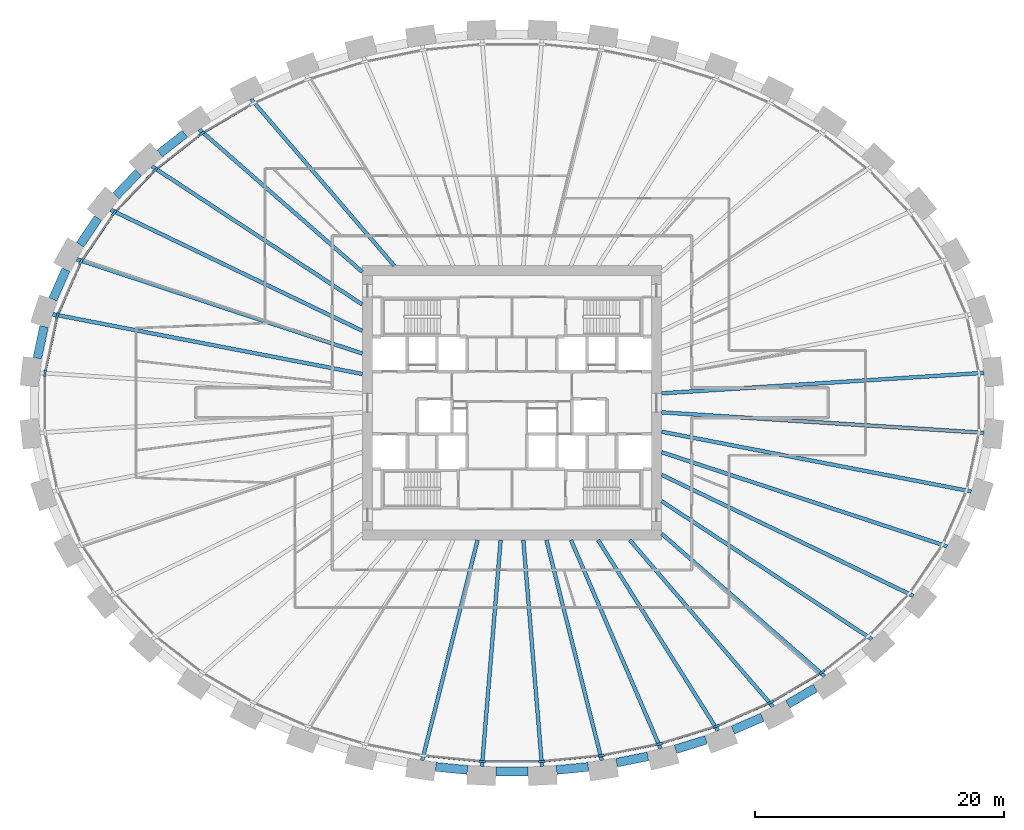
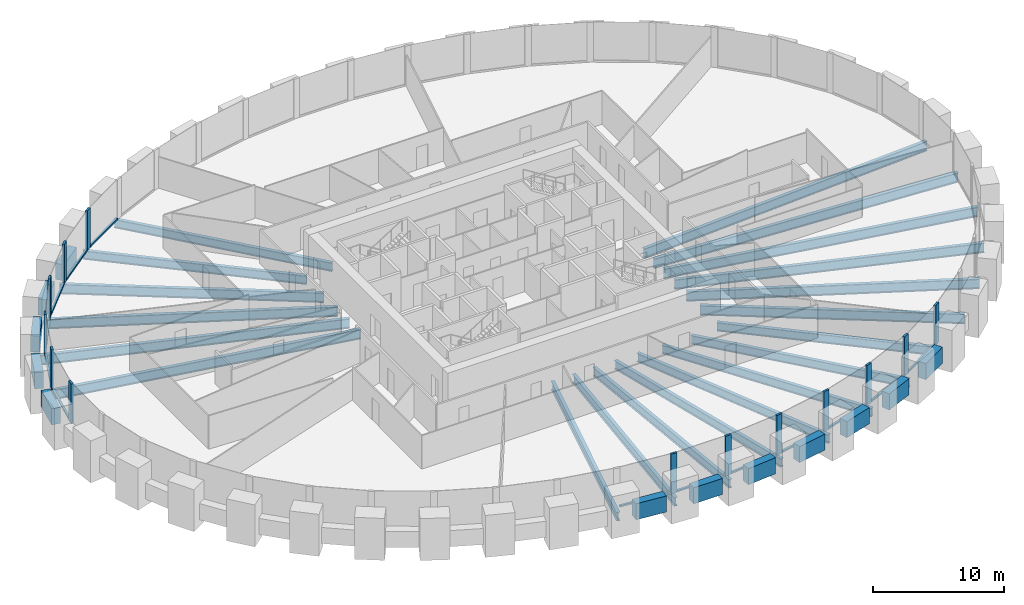
# One storey, part 2 of 11: 32 beams, 26 members, 1 element without a shape of its own.
"""IFC4 building model written with IfcOpenShell, lengths in metres."""

from ifc_helpers import new_model, si_unit, direction, frame, origin, origin_2d, place, context, subcontext, project, spatial, rectangle, i_section, extrude, source, transform, mapped, material, material_profile, profile_set, type_object, element, aggregate, save


model = new_model("IFC4")

# Units and contexts
model_context = context("Model", 3, precision=1e-05, world=origin(), true_north=direction((0.0, 1.0)))
body_context = subcontext(model_context, "Body", "Model", "MODEL_VIEW")
ifc_project = project(units=[si_unit("LENGTHUNIT", "METRE"), si_unit("AREAUNIT", "SQUARE_METRE"), si_unit("VOLUMEUNIT", "CUBIC_METRE"), si_unit("PLANEANGLEUNIT", "RADIAN"), si_unit("MASSUNIT", "GRAM", prefix="KILO")], contexts=[model_context])

# Site, building, storey
site_placement = place(None, origin())
site = spatial("IfcSite", under=ifc_project, at=site_placement, CompositionType="ELEMENT")
building_placement = place(site_placement, origin())
building = spatial("IfcBuilding", under=site, at=building_placement, Name="Embergate Tower", CompositionType="ELEMENT")
storey_placement = place(building_placement, frame((0.0, 0.0, 139.800048828125)))
storey = spatial("IfcBuildingStorey", under=building, at=storey_placement, Name="L30", CompositionType="ELEMENT", Elevation=139.800048828125)

# Beams
ifc_material_1 = material(Name="Concrete C70", Category="concrete")
ifc_material_profile_1 = material_profile(ifc_material_1, rectangle(XDim=0.699951171875, YDim=1.5, at=origin_2d()), Name="RC 700x1500")
ifc_profile_set_1 = profile_set([ifc_material_profile_1], Name="Concrete C70")
beam_type_1 = type_object("IfcBeamType", Name="Spandrel beam RC 700x1500 C70", PredefinedType="BEAM", material=ifc_profile_set_1)
shared_shape_1 = source(origin(), body_context, "Body", "SweptSolid", [
    extrude(rectangle(XDim=0.699951171875, YDim=1.5, at=origin_2d()), origin(), (0.0, 0.0, 1.0), 2.59423828125),
])
beam_1_placement = place(storey_placement, frame((-37.514892578125, 6.1201171875, 0.0), z_axis=(-0.210518717987, -0.977589826756, 0.0), x_axis=(0.977589826756, -0.210518717987, 0.0)))
element("IfcBeam", 1, at=beam_1_placement, inside=storey, type_object=beam_type_1, Name="SPN-L30-20", PredefinedType="BEAM", context=body_context, shape_type="MappedRepresentation", body=[
    mapped(shared_shape_1, transform((0.0, 0.0, 0.0))),
])
shared_shape_2 = source(origin(), body_context, "Body", "SweptSolid", [
    extrude(rectangle(XDim=0.699951171875, YDim=1.5, at=origin_2d()), origin(), (0.0, 0.0, 1.0), 2.5888671875),
])
beam_2_placement = place(storey_placement, frame((-35.76806640625, 10.678955078125, 0.0), z_axis=(-0.401723931702, -0.915760821775, 0.0), x_axis=(0.915760821775, -0.401723931702, 0.0)))
element("IfcBeam", 2, at=beam_2_placement, inside=storey, type_object=beam_type_1, Name="SPN-L30-19", PredefinedType="BEAM", context=body_context, shape_type="MappedRepresentation", body=[
    mapped(shared_shape_2, transform((0.0, 0.0, 0.0))),
])
shared_shape_3 = source(origin(), body_context, "Body", "SweptSolid", [
    extrude(rectangle(XDim=0.699951171875, YDim=1.5, at=origin_2d()), origin(), (0.0, 0.0, 1.0), 2.5791015625),
])
beam_3_placement = place(storey_placement, frame((-33.18701171875, 14.81396484375, 0.0), z_axis=(-0.562170202136, -0.82702156189, 0.0), x_axis=(0.82702156189, -0.562170202136, 0.0)))
element("IfcBeam", 3, at=beam_3_placement, inside=storey, type_object=beam_type_1, Name="SPN-L30-18", PredefinedType="BEAM", context=body_context, shape_type="MappedRepresentation", body=[
    mapped(shared_shape_3, transform((0.0, 0.0, 0.0))),
])
shared_shape_4 = source(origin(), body_context, "Body", "SweptSolid", [
    extrude(rectangle(XDim=0.699951171875, YDim=1.5, at=origin_2d()), origin(), (0.0, 0.0, 1.0), 2.574462890625),
])
beam_4_placement = place(storey_placement, frame((-29.964111328125, 18.466064453125, 0.0), z_axis=(-0.690171205001, -0.72364612055, 0.0), x_axis=(0.72364612055, -0.690171205001, 0.0)))
element("IfcBeam", 4, at=beam_4_placement, inside=storey, type_object=beam_type_1, Name="SPN-L30-17", PredefinedType="BEAM", context=body_context, shape_type="MappedRepresentation", body=[
    mapped(shared_shape_4, transform((0.0, 0.0, 0.0))),
])
shared_shape_5 = source(origin(), body_context, "Body", "SweptSolid", [
    extrude(rectangle(XDim=0.699951171875, YDim=1.5, at=origin_2d()), origin(), (0.0, 0.0, 1.0), 2.56689453125),
])
beam_5_placement = place(storey_placement, frame((-26.222900390625, 21.574951171875, 0.0), z_axis=(-0.788172869351, -0.615453920305, 0.0), x_axis=(0.615453920305, -0.788172869351, 0.0)))
element("IfcBeam", 5, at=beam_5_placement, inside=storey, type_object=beam_type_1, Name="SPN-L30-16", PredefinedType="BEAM", context=body_context, shape_type="MappedRepresentation", body=[
    mapped(shared_shape_5, transform((0.0, 0.0, 0.0))),
])
shared_shape_6 = source(origin(), body_context, "Body", "SweptSolid", [
    extrude(rectangle(XDim=0.699951171875, YDim=1.5, at=origin_2d()), origin(), (0.0, 0.0, 1.0), 2.561279296875),
])
beam_6_placement = place(storey_placement, frame((22.113037109375, -24.166015625, 0.0), z_axis=(0.862059156479, 0.506807666409, 0.0), x_axis=(-0.506807666409, 0.862059156479, 0.0)))
element("IfcBeam", 6, at=beam_6_placement, inside=storey, type_object=beam_type_1, Name="SPN-L30-37", PredefinedType="BEAM", context=body_context, shape_type="MappedRepresentation", body=[
    mapped(shared_shape_6, transform((0.0, 0.0, 0.0))),
])
shared_shape_7 = source(origin(), body_context, "Body", "SweptSolid", [
    extrude(rectangle(XDim=0.699951171875, YDim=1.5, at=origin_2d()), origin(), (0.0, 0.0, 1.0), 2.558837890625),
])
beam_7_placement = place(storey_placement, frame((17.718994140625, -26.236083984375, 0.0), z_axis=(0.916408972809, 0.40024316928, 0.0), x_axis=(-0.40024316928, 0.916408972809, 0.0)))
element("IfcBeam", 7, at=beam_7_placement, inside=storey, type_object=beam_type_1, Name="SPN-L30-36", PredefinedType="BEAM", context=body_context, shape_type="MappedRepresentation", body=[
    mapped(shared_shape_7, transform((0.0, 0.0, 0.0))),
])
shared_shape_8 = source(origin(), body_context, "Body", "SweptSolid", [
    extrude(rectangle(XDim=0.699951171875, YDim=1.5, at=origin_2d()), origin(), (0.0, 0.0, 1.0), 2.5537109375),
])
beam_8_placement = place(storey_placement, frame((13.118896484375, -27.781005859375, 0.0), z_axis=(0.954687282826, 0.297610806273, 0.0), x_axis=(-0.297610806273, 0.954687282826, 0.0)))
element("IfcBeam", 8, at=beam_8_placement, inside=storey, type_object=beam_type_1, Name="SPN-L30-35", PredefinedType="BEAM", context=body_context, shape_type="MappedRepresentation", body=[
    mapped(shared_shape_8, transform((0.0, 0.0, 0.0))),
])
shared_shape_9 = source(origin(), body_context, "Body", "SweptSolid", [
    extrude(rectangle(XDim=0.699951171875, YDim=1.5, at=origin_2d()), origin(), (0.0, 0.0, 1.0), 2.552734375),
])
beam_9_placement = place(storey_placement, frame((8.386962890625, -28.85205078125, 0.0), z_axis=(0.980477546037, 0.196631080243, 0.0), x_axis=(-0.196631080243, 0.980477546037, 0.0)))
element("IfcBeam", 9, at=beam_9_placement, inside=storey, type_object=beam_type_1, Name="SPN-L30-34", PredefinedType="BEAM", context=body_context, shape_type="MappedRepresentation", body=[
    mapped(shared_shape_9, transform((0.0, 0.0, 0.0))),
])
shared_shape_10 = source(origin(), body_context, "Body", "SweptSolid", [
    extrude(rectangle(XDim=0.699951171875, YDim=1.5, at=origin_2d()), origin(), (0.0, 0.0, 1.0), 2.55126953125),
])
for number, where, z_axis, x_axis, name in (
    (10, (-6.112060546875, -29.19091796875, 0.0), (0.995224880302, -0.09760859403, 0.0), (0.09760859403, 0.995224880302, 0.0), "SPN-L30-31"),
    (11, (3.572998046875, -29.43994140625, 0.0), (0.995224880302, 0.09760859403, 0.0), (-0.09760859403, 0.995224880302, 0.0), "SPN-L30-33"),
):
    element("IfcBeam", number, at=place(storey_placement, frame(where, z_axis=z_axis, x_axis=x_axis)), inside=storey, type_object=beam_type_1, Name=name, PredefinedType="BEAM", context=body_context, shape_type="MappedRepresentation", body=[
        mapped(shared_shape_10, transform((0.0, 0.0, 0.0))),
    ])
shared_shape_11 = source(origin(), body_context, "Body", "SweptSolid", [
    extrude(rectangle(XDim=0.699951171875, YDim=1.5, at=origin_2d()), origin(), (0.0, 0.0, 1.0), 2.5517578125),
])
beam_10_placement = place(storey_placement, frame((-1.27587890625, -29.552978515625, 0.0), z_axis=(1.0, 0.0, 0.0), x_axis=(0.0, 1.0, 0.0)))
element("IfcBeam", 12, at=beam_10_placement, inside=storey, type_object=beam_type_1, Name="SPN-L30-32", PredefinedType="BEAM", context=body_context, shape_type="MappedRepresentation", body=[
    mapped(shared_shape_11, transform((0.0, 0.0, 0.0))),
])
ifc_material_2 = material(Name="Steel Q355B", Category="steel")
ifc_material_profile_2 = material_profile(ifc_material_2, i_section(OverallWidth=0.300048828125, OverallDepth=0.89990234375, WebThickness=0.01611328125, FlangeThickness=0.028076171875, FilletRadius=0.028076171875, at=origin_2d()), Name="HN 900x300x16x28")
ifc_profile_set_2 = profile_set([ifc_material_profile_2], Name="Steel Q355 grade B")
beam_type_2 = type_object("IfcBeamType", Name="Radial girder HN 900x300x16x28", PredefinedType="BEAM", material=ifc_profile_set_2)
shared_shape_12 = source(origin(), body_context, "Body", "SweptSolid", [
    extrude(i_section(OverallWidth=0.300048828125, OverallDepth=0.89990234375, WebThickness=0.01611328125, FlangeThickness=0.028076171875, FilletRadius=0.028076171875, at=origin_2d()), origin(), (0.0, 0.0, 1.0), 25.885986328125),
])
for number, where, z_axis, x_axis, name in (
    (13, (37.833984375, 2.403076171875, -0.650146484375), (-0.997988350438, -0.063397574012, 0.0), (0.063397574012, -0.997988350438, 0.0), "GIR-L30-00"),
    (14, (37.833984375, -2.403076171875, -0.650146484375), (-0.997988350438, 0.063397574012, 0.0), (-0.063397574012, -0.997988350438, 0.0), "GIR-L30-43"),
):
    element("IfcBeam", number, at=place(storey_placement, frame(where, z_axis=z_axis, x_axis=x_axis)), inside=storey, type_object=beam_type_2, Name=name, PredefinedType="BEAM", context=body_context, shape_type="MappedRepresentation", body=[
        mapped(shared_shape_12, transform((0.0, 0.0, 0.0))),
    ])
shared_shape_13 = source(origin(), body_context, "Body", "SweptSolid", [
    extrude(i_section(OverallWidth=0.300048828125, OverallDepth=0.89990234375, WebThickness=0.01611328125, FlangeThickness=0.028076171875, FilletRadius=0.028076171875, at=origin_2d()), origin(), (0.0, 0.0, 1.0), 25.28076171875),
])
for number, where, z_axis, x_axis, name in (
    (15, (-36.822998046875, 7.10400390625, -0.650146484375), (0.981893236668, -0.189435138731, 0.0), (0.189435138731, 0.981893236668, 0.0), "GIR-L30-20"),
    (16, (36.822998046875, -7.10400390625, -0.650146484375), (-0.981893236668, 0.189435138731, 0.0), (-0.189435138731, -0.981893236668, 0.0), "GIR-L30-42"),
):
    element("IfcBeam", number, at=place(storey_placement, frame(where, z_axis=z_axis, x_axis=x_axis)), inside=storey, type_object=beam_type_2, Name=name, PredefinedType="BEAM", context=body_context, shape_type="MappedRepresentation", body=[
        mapped(shared_shape_13, transform((0.0, 0.0, 0.0))),
    ])
shared_shape_14 = source(origin(), body_context, "Body", "SweptSolid", [
    extrude(i_section(OverallWidth=0.300048828125, OverallDepth=0.89990234375, WebThickness=0.01611328125, FlangeThickness=0.028076171875, FilletRadius=0.028076171875, at=origin_2d()), origin(), (0.0, 0.0, 1.0), 24.10498046875),
])
for number, where, z_axis, x_axis, name in (
    (17, (-34.89208984375, 11.507080078125, -0.650146484375), (0.949682225523, -0.313215054756, 0.0), (0.313215054756, 0.949682225523, 0.0), "GIR-L30-19"),
    (18, (34.89208984375, -11.507080078125, -0.650146484375), (-0.949682225523, 0.313215054756, 0.0), (-0.313215054756, -0.949682225523, 0.0), "GIR-L30-41"),
):
    element("IfcBeam", number, at=place(storey_placement, frame(where, z_axis=z_axis, x_axis=x_axis)), inside=storey, type_object=beam_type_2, Name=name, PredefinedType="BEAM", context=body_context, shape_type="MappedRepresentation", body=[
        mapped(shared_shape_14, transform((0.0, 0.0, 0.0))),
    ])
shared_shape_15 = source(origin(), body_context, "Body", "SweptSolid", [
    extrude(i_section(OverallWidth=0.300048828125, OverallDepth=0.89990234375, WebThickness=0.01611328125, FlangeThickness=0.028076171875, FilletRadius=0.028076171875, at=origin_2d()), origin(), (0.0, 0.0, 1.0), 22.4013671875),
])
for number, where, z_axis, x_axis, name in (
    (19, (-32.18701171875, 15.48388671875, -0.650146484375), (0.901154023355, -0.433499049815, 0.0), (0.433499049815, 0.901154023355, 0.0), "GIR-L30-18"),
    (20, (32.18701171875, -15.48388671875, -0.650146484375), (-0.901154023355, 0.433499049815, 0.0), (-0.433499049815, -0.901154023355, 0.0), "GIR-L30-40"),
):
    element("IfcBeam", number, at=place(storey_placement, frame(where, z_axis=z_axis, x_axis=x_axis)), inside=storey, type_object=beam_type_2, Name=name, PredefinedType="BEAM", context=body_context, shape_type="MappedRepresentation", body=[
        mapped(shared_shape_15, transform((0.0, 0.0, 0.0))),
    ])
shared_shape_16 = source(origin(), body_context, "Body", "SweptSolid", [
    extrude(i_section(OverallWidth=0.300048828125, OverallDepth=0.89990234375, WebThickness=0.01611328125, FlangeThickness=0.028076171875, FilletRadius=0.028076171875, at=origin_2d()), origin(), (0.0, 0.0, 1.0), 20.180908203125),
])
for number, where, z_axis, x_axis, name in (
    (21, (-28.865966796875, 18.966064453125, -0.650146484375), (0.835735460255, -0.549132261365, 0.0), (0.549132261365, 0.835735460255, 0.0), "GIR-L30-17"),
    (22, (28.865966796875, -18.966064453125, -0.650146484375), (-0.835735460255, 0.549132261365, 0.0), (-0.549132261365, -0.835735460255, 0.0), "GIR-L30-39"),
):
    element("IfcBeam", number, at=place(storey_placement, frame(where, z_axis=z_axis, x_axis=x_axis)), inside=storey, type_object=beam_type_2, Name=name, PredefinedType="BEAM", context=body_context, shape_type="MappedRepresentation", body=[
        mapped(shared_shape_16, transform((0.0, 0.0, 0.0))),
    ])
ifc_material_profile_3 = material_profile(ifc_material_2, i_section(OverallWidth=0.300048828125, OverallDepth=0.800048828125, WebThickness=0.013916015625, FlangeThickness=0.02587890625, FilletRadius=0.028076171875, at=origin_2d()), Name="HN 800x300x14x26")
ifc_profile_set_3 = profile_set([ifc_material_profile_3], Name="Steel Q355 grade B")
beam_type_3 = type_object("IfcBeamType", Name="Radial girder HN 800x300x14x26", PredefinedType="BEAM", material=ifc_profile_set_3)
shared_shape_17 = source(origin(), body_context, "Body", "SweptSolid", [
    extrude(i_section(OverallWidth=0.300048828125, OverallDepth=0.800048828125, WebThickness=0.013916015625, FlangeThickness=0.02587890625, FilletRadius=0.028076171875, at=origin_2d()), origin(), (0.0, 0.0, 1.0), 17.3671875),
])
for number, where, z_axis, x_axis, name in (
    (23, (-25.072998046875, 21.927001953125, -0.60009765625), (0.752741256854, -0.658316489411, 0.0), (0.658316489411, 0.752741256854, 0.0), "GIR-L30-16"),
    (24, (25.072998046875, -21.927001953125, -0.60009765625), (-0.752741256854, 0.658316489411, 0.0), (-0.658316489411, -0.752741256854, 0.0), "GIR-L30-38"),
):
    element("IfcBeam", number, at=place(storey_placement, frame(where, z_axis=z_axis, x_axis=x_axis)), inside=storey, type_object=beam_type_3, Name=name, PredefinedType="BEAM", context=body_context, shape_type="MappedRepresentation", body=[
        mapped(shared_shape_17, transform((0.0, 0.0, 0.0))),
    ])
shared_shape_18 = source(origin(), body_context, "Body", "SweptSolid", [
    extrude(i_section(OverallWidth=0.300048828125, OverallDepth=0.800048828125, WebThickness=0.013916015625, FlangeThickness=0.02587890625, FilletRadius=0.028076171875, at=origin_2d()), origin(), (0.0, 0.0, 1.0), 17.617919921875),
])
for number, where, z_axis, x_axis, name in (
    (25, (-20.924072265625, 24.365966796875, -0.60009765625), (0.651494074711, -0.75865372247, 0.0), (0.75865372247, 0.651494074711, 0.0), "GIR-L30-15"),
    (26, (20.924072265625, -24.365966796875, -0.60009765625), (-0.651494074711, 0.75865372247, 0.0), (-0.75865372247, -0.651494074711, 0.0), "GIR-L30-37"),
):
    element("IfcBeam", number, at=place(storey_placement, frame(where, z_axis=z_axis, x_axis=x_axis)), inside=storey, type_object=beam_type_3, Name=name, PredefinedType="BEAM", context=body_context, shape_type="MappedRepresentation", body=[
        mapped(shared_shape_18, transform((0.0, 0.0, 0.0))),
    ])
shared_shape_19 = source(origin(), body_context, "Body", "SweptSolid", [
    extrude(i_section(OverallWidth=0.300048828125, OverallDepth=0.800048828125, WebThickness=0.013916015625, FlangeThickness=0.02587890625, FilletRadius=0.028076171875, at=origin_2d()), origin(), (0.0, 0.0, 1.0), 18.060546875),
])
beam_11_placement = place(storey_placement, frame((16.513916015625, -26.2939453125, -0.60009765625), z_axis=(-0.531878610528, 0.846820608903, 0.0), x_axis=(-0.846820608903, -0.531878610528, 0.0)))
element("IfcBeam", 27, at=beam_11_placement, inside=storey, type_object=beam_type_3, Name="GIR-L30-36", PredefinedType="BEAM", context=body_context, shape_type="MappedRepresentation", body=[
    mapped(shared_shape_19, transform((0.0, 0.0, 0.0))),
])
shared_shape_20 = source(origin(), body_context, "Body", "SweptSolid", [
    extrude(i_section(OverallWidth=0.300048828125, OverallDepth=0.800048828125, WebThickness=0.013916015625, FlangeThickness=0.02587890625, FilletRadius=0.028076171875, at=origin_2d()), origin(), (0.0, 0.0, 1.0), 18.2060546875),
])
beam_12_placement = place(storey_placement, frame((11.91796875, -27.72607421875, -0.60009765625), z_axis=(-0.394922496681, 0.918714439647, 0.0), x_axis=(-0.918714439647, -0.394922496681, 0.0)))
element("IfcBeam", 28, at=beam_12_placement, inside=storey, type_object=beam_type_3, Name="GIR-L30-35", PredefinedType="BEAM", context=body_context, shape_type="MappedRepresentation", body=[
    mapped(shared_shape_20, transform((0.0, 0.0, 0.0))),
])
shared_shape_21 = source(origin(), body_context, "Body", "SweptSolid", [
    extrude(i_section(OverallWidth=0.300048828125, OverallDepth=0.800048828125, WebThickness=0.013916015625, FlangeThickness=0.02587890625, FilletRadius=0.028076171875, at=origin_2d()), origin(), (0.0, 0.0, 1.0), 18.220703125),
])
for number, where, z_axis, x_axis, name in (
    (29, (-7.197998046875, -28.672119140625, -0.60009765625), (0.243516003071, 0.969896879183, 0.0), (-0.969896879183, 0.243516003071, 0.0), "GIR-L30-31"),
    (30, (7.197998046875, -28.672119140625, -0.60009765625), (-0.243516003071, 0.969896879183, 0.0), (-0.969896879183, -0.243516003071, 0.0), "GIR-L30-34"),
):
    element("IfcBeam", number, at=place(storey_placement, frame(where, z_axis=z_axis, x_axis=x_axis)), inside=storey, type_object=beam_type_3, Name=name, PredefinedType="BEAM", context=body_context, shape_type="MappedRepresentation", body=[
        mapped(shared_shape_21, transform((0.0, 0.0, 0.0))),
    ])
shared_shape_22 = source(origin(), body_context, "Body", "SweptSolid", [
    extrude(i_section(OverallWidth=0.300048828125, OverallDepth=0.800048828125, WebThickness=0.013916015625, FlangeThickness=0.02587890625, FilletRadius=0.028076171875, at=origin_2d()), origin(), (0.0, 0.0, 1.0), 18.204833984375),
])
for number, where, z_axis, x_axis, name in (
    (31, (-2.406982421875, -29.14306640625, -0.60009765625), (0.082288533097, 0.996608547686, 0.0), (-0.996608547686, 0.082288533097, 0.0), "GIR-L30-32"),
    (32, (2.406982421875, -29.14306640625, -0.60009765625), (-0.082288533097, 0.996608547686, 0.0), (-0.996608547686, -0.082288533097, 0.0), "GIR-L30-33"),
):
    element("IfcBeam", number, at=place(storey_placement, frame(where, z_axis=z_axis, x_axis=x_axis)), inside=storey, type_object=beam_type_3, Name=name, PredefinedType="BEAM", context=body_context, shape_type="MappedRepresentation", body=[
        mapped(shared_shape_22, transform((0.0, 0.0, 0.0))),
    ])

# Curtain wall, members
ifc_material_3 = material(Name="Aluminium and glass", Category="aluminium")
curtain_wall_type = type_object("IfcCurtainWallType", Name="Recessed office glazing", PredefinedType="NOTDEFINED", material=ifc_material_3)
curtain_wall_placement = place(storey_placement, origin())
curtain_wall = element("IfcCurtainWall", 33, at=curtain_wall_placement, inside=storey, type_object=curtain_wall_type, Name="Recessed office glazing ring", ObjectType="RECESSED OFFICE GLAZING", PredefinedType="USERDEFINED")
ifc_material_4 = material(Name="Aluminium, thermally broken", Category="aluminium")
ifc_material_profile_4 = material_profile(ifc_material_4, rectangle(XDim=0.179931640625, YDim=0.52001953125, at=origin_2d()), Name="AL 520x180")
ifc_profile_set_4 = profile_set([ifc_material_profile_4], Name="Aluminium, thermally broken")
member_type_1 = type_object("IfcMemberType", Name="Office mullion", PredefinedType="MULLION", material=ifc_profile_set_4)
shared_shape_23 = source(origin(), body_context, "Body", "SweptSolid", [
    extrude(rectangle(XDim=0.179931640625, YDim=0.52001953125, at=origin_2d()), origin(), (0.0, 0.0, 1.0), 3.699951171875),
])
member_1_placement = place(storey_placement, frame((-24.8544921875, 21.603515625, 0.0), z_axis=(0.0, 0.0, 1.0), x_axis=(0.562214731803, -0.826991290972, 0.0)))
member_1 = element("IfcMember", 34, at=member_1_placement, type_object=member_type_1, Name="CW mullion 17", PredefinedType="MULLION", context=body_context, shape_type="MappedRepresentation", body=[
    mapped(shared_shape_23, transform((0.0, 0.0, 0.0))),
])
member_2_placement = place(storey_placement, frame((-28.605712890625, 18.676025390625, 0.0), z_axis=(0.0, 0.0, 1.0), x_axis=(0.671225240226, -0.741253449829, 0.0)))
member_2 = element("IfcMember", 35, at=member_2_placement, type_object=member_type_1, Name="CW mullion 18", PredefinedType="MULLION", context=body_context, shape_type="MappedRepresentation", body=[
    mapped(shared_shape_23, transform((0.0, 0.0, 0.0))),
])
member_3_placement = place(storey_placement, frame((-31.88427734375, 15.238037109375, 0.0), z_axis=(0.0, 0.0, 1.0), x_axis=(0.777871467551, -0.628423408198, 0.0)))
member_3 = element("IfcMember", 36, at=member_3_placement, type_object=member_type_1, Name="CW mullion 19", PredefinedType="MULLION", context=body_context, shape_type="MappedRepresentation", body=[
    mapped(shared_shape_23, transform((0.0, 0.0, 0.0))),
])
member_4_placement = place(storey_placement, frame((-34.55078125, 11.31689453125, 0.0), z_axis=(0.0, 0.0, 1.0), x_axis=(0.875001895832, -0.484119491748, 0.0)))
member_4 = element("IfcMember", 37, at=member_4_placement, type_object=member_type_1, Name="CW mullion 20", PredefinedType="MULLION", context=body_context, shape_type="MappedRepresentation", body=[
    mapped(shared_shape_23, transform((0.0, 0.0, 0.0))),
])
member_5_placement = place(storey_placement, frame((-36.451904296875, 6.982177734375, 0.0), z_axis=(0.0, 0.0, 1.0), x_axis=(0.951497797992, -0.307655554826, 0.0)))
member_5 = element("IfcMember", 38, at=member_5_placement, type_object=member_type_1, Name="CW mullion 21", PredefinedType="MULLION", context=body_context, shape_type="MappedRepresentation", body=[
    mapped(shared_shape_23, transform((0.0, 0.0, 0.0))),
])
member_6_placement = place(storey_placement, frame((-37.4462890625, 2.36181640625, 0.0), z_axis=(0.0, 0.0, 1.0), x_axis=(0.994384954736, -0.105823257345, 0.0)))
member_6 = element("IfcMember", 39, at=member_6_placement, type_object=member_type_1, Name="CW mullion 22", PredefinedType="MULLION", context=body_context, shape_type="MappedRepresentation", body=[
    mapped(shared_shape_23, transform((0.0, 0.0, 0.0))),
])
member_7_placement = place(storey_placement, frame((-2.387939453125, -28.753662109375, 0.0), z_axis=(0.0, 0.0, 1.0), x_axis=(0.048971796621, 0.998800161762, 0.0)))
member_7 = element("IfcMember", 40, at=member_7_placement, type_object=member_type_1, Name="CW mullion 33", PredefinedType="MULLION", context=body_context, shape_type="MappedRepresentation", body=[
    mapped(shared_shape_23, transform((0.0, 0.0, 0.0))),
])
member_8_placement = place(storey_placement, frame((2.387939453125, -28.753662109375, 0.0), z_axis=(0.0, 0.0, 1.0), x_axis=(-0.048971796621, 0.998800161762, 0.0)))
member_8 = element("IfcMember", 41, at=member_8_placement, type_object=member_type_1, Name="CW mullion 34", PredefinedType="MULLION", context=body_context, shape_type="MappedRepresentation", body=[
    mapped(shared_shape_23, transform((0.0, 0.0, 0.0))),
])
member_9_placement = place(storey_placement, frame((7.140625, -28.28662109375, 0.0), z_axis=(0.0, 0.0, 1.0), x_axis=(-0.147410656556, 0.989075375456, 0.0)))
member_9 = element("IfcMember", 42, at=member_9_placement, type_object=member_type_1, Name="CW mullion 35", PredefinedType="MULLION", context=body_context, shape_type="MappedRepresentation", body=[
    mapped(shared_shape_23, transform((0.0, 0.0, 0.0))),
])
member_10_placement = place(storey_placement, frame((11.82177734375, -27.34765625, 0.0), z_axis=(0.0, 0.0, 1.0), x_axis=(-0.247310190257, 0.968936360034, 0.0)))
member_10 = element("IfcMember", 43, at=member_10_placement, type_object=member_type_1, Name="CW mullion 36", PredefinedType="MULLION", context=body_context, shape_type="MappedRepresentation", body=[
    mapped(shared_shape_23, transform((0.0, 0.0, 0.0))),
])
member_11_placement = place(storey_placement, frame((16.378173828125, -25.9287109375, 0.0), z_axis=(0.0, 0.0, 1.0), x_axis=(-0.349501047589, 0.936935973124, 0.0)))
member_11 = element("IfcMember", 44, at=member_11_placement, type_object=member_type_1, Name="CW mullion 37", PredefinedType="MULLION", context=body_context, shape_type="MappedRepresentation", body=[
    mapped(shared_shape_23, transform((0.0, 0.0, 0.0))),
])
member_12_placement = place(storey_placement, frame((20.74755859375, -24.018310546875, 0.0), z_axis=(0.0, 0.0, 1.0), x_axis=(-0.454508271251, 0.890742516872, 0.0)))
member_12 = element("IfcMember", 45, at=member_12_placement, type_object=member_type_1, Name="CW mullion 38", PredefinedType="MULLION", context=body_context, shape_type="MappedRepresentation", body=[
    mapped(shared_shape_23, transform((0.0, 0.0, 0.0))),
])
member_13_placement = place(storey_placement, frame((24.8544921875, -21.603515625, 0.0), z_axis=(0.0, 0.0, 1.0), x_axis=(-0.562214731803, 0.826991290972, 0.0)))
member_13 = element("IfcMember", 46, at=member_13_placement, type_object=member_type_1, Name="CW mullion 39", PredefinedType="MULLION", context=body_context, shape_type="MappedRepresentation", body=[
    mapped(shared_shape_23, transform((0.0, 0.0, 0.0))),
])
ifc_material_profile_5 = material_profile(ifc_material_4, rectangle(XDim=0.179931640625, YDim=0.14990234375, at=origin_2d()), Name="AL 150x180")
ifc_profile_set_5 = profile_set([ifc_material_profile_5], Name="Aluminium, thermally broken")
member_type_2 = type_object("IfcMemberType", Name="Office sill transom", PredefinedType="USERDEFINED", material=ifc_profile_set_5)
shared_shape_24 = source(origin(), body_context, "Body", "SweptSolid", [
    extrude(rectangle(XDim=0.179931640625, YDim=0.14990234375, at=origin_2d()), origin(), (0.0, 0.0, 1.0), 4.25439453125),
])
member_14_placement = place(storey_placement, frame((7.3955078125, -28.2353515625, 0.074951171875), z_axis=(0.980472378795, 0.196656844325, 0.0), x_axis=(-0.196656844325, 0.980472378795, 0.0)))
member_14 = element("IfcMember", 47, at=member_14_placement, type_object=member_type_2, Name="CW transom 35.1", ObjectType="TRANSOM", PredefinedType="USERDEFINED", context=body_context, shape_type="MappedRepresentation", body=[
    mapped(shared_shape_24, transform((0.0, 0.0, 0.0))),
])
shared_shape_25 = source(origin(), body_context, "Body", "SweptSolid", [
    extrude(rectangle(XDim=0.179931640625, YDim=0.14990234375, at=origin_2d()), origin(), (0.0, 0.0, 1.0), 4.206298828125),
])
member_15_placement = place(storey_placement, frame((-36.506591796875, 6.72802734375, 0.074951171875), z_axis=(-0.210405025701, -0.977614302862, 0.0), x_axis=(0.977614302862, -0.210405025701, 0.0)))
member_15 = element("IfcMember", 48, at=member_15_placement, type_object=member_type_2, Name="CW transom 21.1", ObjectType="TRANSOM", PredefinedType="USERDEFINED", context=body_context, shape_type="MappedRepresentation", body=[
    mapped(shared_shape_25, transform((0.0, 0.0, 0.0))),
])
shared_shape_26 = source(origin(), body_context, "Body", "SweptSolid", [
    extrude(rectangle(XDim=0.179931640625, YDim=0.14990234375, at=origin_2d()), origin(), (0.0, 0.0, 1.0), 4.213134765625),
])
member_16_placement = place(storey_placement, frame((-34.655517578125, 11.07861328125, 0.074951171875), z_axis=(-0.40163335885, -0.915800548733, 0.0), x_axis=(0.915800548733, -0.40163335885, 0.0)))
member_16 = element("IfcMember", 49, at=member_16_placement, type_object=member_type_2, Name="CW transom 20.1", ObjectType="TRANSOM", PredefinedType="USERDEFINED", context=body_context, shape_type="MappedRepresentation", body=[
    mapped(shared_shape_26, transform((0.0, 0.0, 0.0))),
])
shared_shape_27 = source(origin(), body_context, "Body", "SweptSolid", [
    extrude(rectangle(XDim=0.179931640625, YDim=0.14990234375, at=origin_2d()), origin(), (0.0, 0.0, 1.0), 4.22216796875),
])
member_17_placement = place(storey_placement, frame((-32.030517578125, 15.02294921875, 0.074951171875), z_axis=(-0.562349562031, -0.826899613063, 0.0), x_axis=(0.826899613063, -0.562349562031, 0.0)))
member_17 = element("IfcMember", 50, at=member_17_placement, type_object=member_type_2, Name="CW transom 19.1", ObjectType="TRANSOM", PredefinedType="USERDEFINED", context=body_context, shape_type="MappedRepresentation", body=[
    mapped(shared_shape_27, transform((0.0, 0.0, 0.0))),
])
shared_shape_28 = source(origin(), body_context, "Body", "SweptSolid", [
    extrude(rectangle(XDim=0.179931640625, YDim=0.14990234375, at=origin_2d()), origin(), (0.0, 0.0, 1.0), 4.230712890625),
])
member_18_placement = place(storey_placement, frame((-28.784912109375, 18.48779296875, 0.074951171875), z_axis=(-0.690173739415, -0.723643703367, 0.0), x_axis=(0.723643703367, -0.690173739415, 0.0)))
member_18 = element("IfcMember", 51, at=member_18_placement, type_object=member_type_2, Name="CW transom 18.1", ObjectType="TRANSOM", PredefinedType="USERDEFINED", context=body_context, shape_type="MappedRepresentation", body=[
    mapped(shared_shape_28, transform((0.0, 0.0, 0.0))),
])
shared_shape_29 = source(origin(), body_context, "Body", "SweptSolid", [
    extrude(rectangle(XDim=0.179931640625, YDim=0.14990234375, at=origin_2d()), origin(), (0.0, 0.0, 1.0), 4.23828125),
])
member_19_placement = place(storey_placement, frame((-25.0595703125, 21.443603515625, 0.074951171875), z_axis=(-0.788315102029, -0.615271728518, 0.0), x_axis=(0.615271728518, -0.788315102029, 0.0)))
member_19 = element("IfcMember", 52, at=member_19_placement, type_object=member_type_2, Name="CW transom 17.1", ObjectType="TRANSOM", PredefinedType="USERDEFINED", context=body_context, shape_type="MappedRepresentation", body=[
    mapped(shared_shape_29, transform((0.0, 0.0, 0.0))),
])
shared_shape_30 = source(origin(), body_context, "Body", "SweptSolid", [
    extrude(rectangle(XDim=0.179931640625, YDim=0.14990234375, at=origin_2d()), origin(), (0.0, 0.0, 1.0), 4.244140625),
])
member_20_placement = place(storey_placement, frame((-20.9716796875, 23.886474609375, 0.074951171875), z_axis=(-0.862042143977, -0.506836602868, 0.0), x_axis=(0.506836602868, -0.862042143977, 0.0)))
member_20 = element("IfcMember", 53, at=member_20_placement, type_object=member_type_2, Name="CW transom 16.1", ObjectType="TRANSOM", PredefinedType="USERDEFINED", context=body_context, shape_type="MappedRepresentation", body=[
    mapped(shared_shape_30, transform((0.0, 0.0, 0.0))),
])
member_21_placement = place(storey_placement, frame((20.9716796875, -23.886474609375, 0.074951171875), z_axis=(0.862042143977, 0.506836602868, 0.0), x_axis=(-0.506836602868, 0.862042143977, 0.0)))
member_21 = element("IfcMember", 54, at=member_21_placement, type_object=member_type_2, Name="CW transom 38.1", ObjectType="TRANSOM", PredefinedType="USERDEFINED", context=body_context, shape_type="MappedRepresentation", body=[
    mapped(shared_shape_30, transform((0.0, 0.0, 0.0))),
])
shared_shape_31 = source(origin(), body_context, "Body", "SweptSolid", [
    extrude(rectangle(XDim=0.179931640625, YDim=0.14990234375, at=origin_2d()), origin(), (0.0, 0.0, 1.0), 4.2490234375),
])
member_22_placement = place(storey_placement, frame((16.6162109375, -25.82470703125, 0.074951171875), z_axis=(0.91622853094, 0.400656060845, 0.0), x_axis=(-0.400656060845, 0.91622853094, 0.0)))
member_22 = element("IfcMember", 55, at=member_22_placement, type_object=member_type_2, Name="CW transom 37.1", ObjectType="TRANSOM", PredefinedType="USERDEFINED", context=body_context, shape_type="MappedRepresentation", body=[
    mapped(shared_shape_31, transform((0.0, 0.0, 0.0))),
])
shared_shape_32 = source(origin(), body_context, "Body", "SweptSolid", [
    extrude(rectangle(XDim=0.179931640625, YDim=0.14990234375, at=origin_2d()), origin(), (0.0, 0.0, 1.0), 4.252197265625),
])
member_23_placement = place(storey_placement, frame((12.070068359375, -27.2705078125, 0.074951171875), z_axis=(0.954766614733, 0.297356202881, 0.0), x_axis=(-0.297356202881, 0.954766614733, 0.0)))
member_23 = element("IfcMember", 56, at=member_23_placement, type_object=member_type_2, Name="CW transom 36.1", ObjectType="TRANSOM", PredefinedType="USERDEFINED", context=body_context, shape_type="MappedRepresentation", body=[
    mapped(shared_shape_32, transform((0.0, 0.0, 0.0))),
])
shared_shape_33 = source(origin(), body_context, "Body", "SweptSolid", [
    extrude(rectangle(XDim=0.179931640625, YDim=0.14990234375, at=origin_2d()), origin(), (0.0, 0.0, 1.0), 4.255859375),
])
member_24_placement = place(storey_placement, frame((-6.882080078125, -28.31201171875, 0.074951171875), z_axis=(0.995205012033, -0.097810960659, 0.0), x_axis=(0.097810960659, 0.995205012033, 0.0)))
member_24 = element("IfcMember", 57, at=member_24_placement, type_object=member_type_2, Name="CW transom 32.1", ObjectType="TRANSOM", PredefinedType="USERDEFINED", context=body_context, shape_type="MappedRepresentation", body=[
    mapped(shared_shape_33, transform((0.0, 0.0, 0.0))),
])
member_25_placement = place(storey_placement, frame((-2.1279296875, -28.753662109375, 0.074951171875), z_axis=(1.0, 0.0, 0.0), x_axis=(0.0, 1.0, 0.0)))
member_25 = element("IfcMember", 58, at=member_25_placement, type_object=member_type_2, Name="CW transom 33.1", ObjectType="TRANSOM", PredefinedType="USERDEFINED", context=body_context, shape_type="MappedRepresentation", body=[
    mapped(shared_shape_33, transform((0.0, 0.0, 0.0))),
])
member_26_placement = place(storey_placement, frame((2.646728515625, -28.728271484375, 0.074951171875), z_axis=(0.995205012033, 0.097810960659, 0.0), x_axis=(-0.097810960659, 0.995205012033, 0.0)))
member_26 = element("IfcMember", 59, at=member_26_placement, type_object=member_type_2, Name="CW transom 34.1", ObjectType="TRANSOM", PredefinedType="USERDEFINED", context=body_context, shape_type="MappedRepresentation", body=[
    mapped(shared_shape_33, transform((0.0, 0.0, 0.0))),
])
aggregate(curtain_wall, [member_1, member_2, member_3, member_4, member_5, member_6, member_7, member_8, member_9, member_10, member_11, member_12, member_13, member_20, member_19, member_18, member_17, member_16, member_15, member_24, member_25, member_26, member_14, member_23, member_22, member_21])

save(model, "model.ifc")
